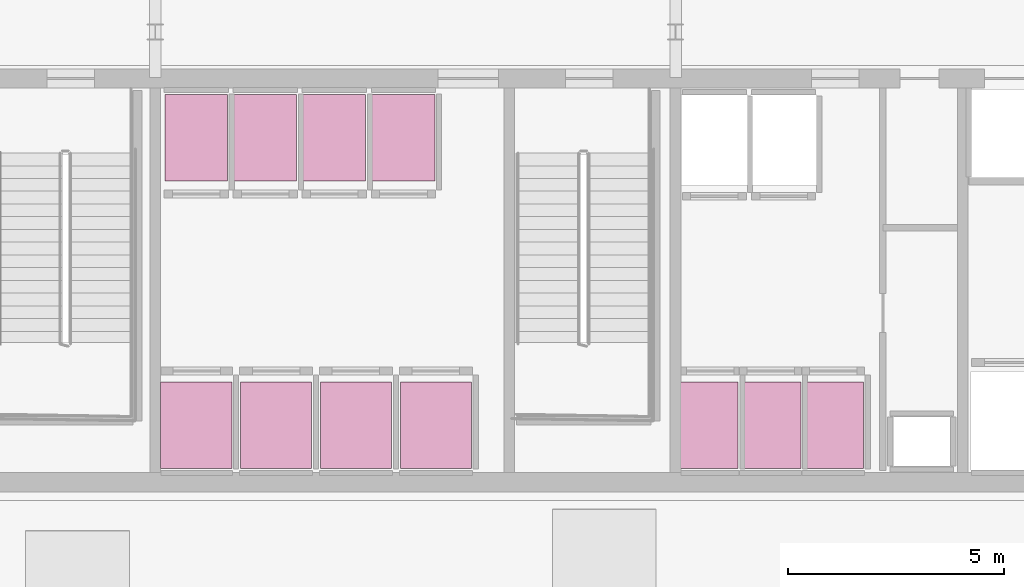
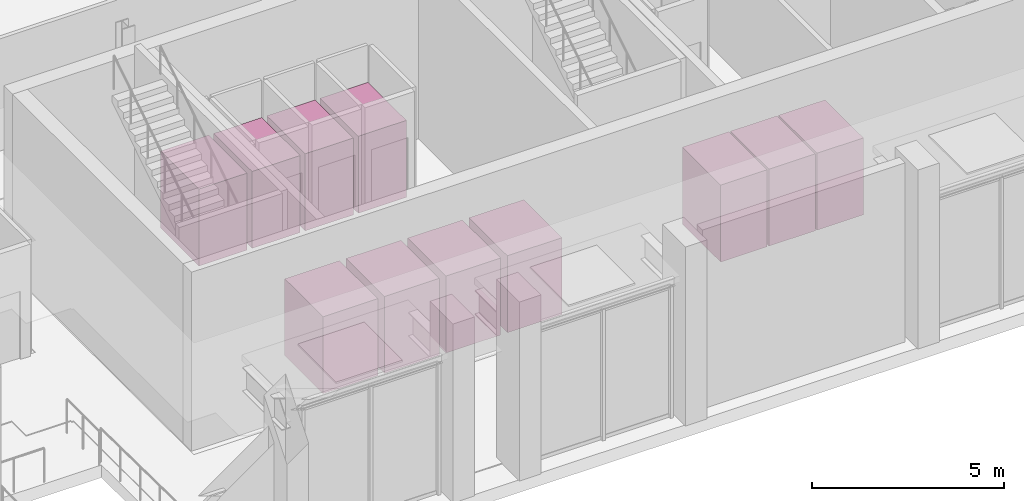
# One storey, part 36 of 36: 11 transport elements.
"""IFC4 building model written with IfcOpenShell, lengths in metres."""

import ifcopenshell
import ifcopenshell.guid

model = None  # the IFC model being written
_history = None  # IfcOwnerHistory: only IFC2X3 demands one
_inside = {}  # id of a spatial element -> (the spatial element, [elements in it])
_under = {}  # id of a project, library or spatial element -> (it, [spatial elements below it])
_declared = {}  # id of a project -> (the project, [libraries it declares])
_typed = {}  # id of a type object -> (the type object, [elements of that type])
_made_of = {}  # id of a material, layer set ... -> (it, [elements and type objects made of it])


def new_model(schema):
    """Start an empty IFC model of exactly this schema.

    Asked for "IFC4X3", IfcOpenShell would pick the latest addendum, in which some entities
    have other attributes; the version numbers below select the first issue.
    IFC2X3 requires an IfcOwnerHistory on every rooted entity: one is made here for all.
    """
    global model, _history
    if schema == "IFC4X3":
        model = ifcopenshell.file(schema_version=(4, 3, 0, 0))
    else:
        model = ifcopenshell.file(schema=schema)
    _inside.clear()
    _under.clear()
    _declared.clear()
    _typed.clear()
    _made_of.clear()
    _history = None
    if model.schema == "IFC2X3":
        org = make("IfcOrganization", Name="unknown")
        user = make(
            "IfcPersonAndOrganization",
            ThePerson=make("IfcPerson", FamilyName="unknown"),
            TheOrganization=org,
        )
        app = make(
            "IfcApplication",
            ApplicationDeveloper=org,
            Version="unknown",
            ApplicationFullName="unknown",
            ApplicationIdentifier="unknown",
        )
        _history = make(
            "IfcOwnerHistory",
            OwningUser=user,
            OwningApplication=app,
            ChangeAction="ADDED",
            CreationDate=0,
        )
    return model


def make(cls, **values):
    """One entity of the class cls with the attributes given. An attribute that is None is left unset."""
    return model.create_entity(
        cls, **{name: value for name, value in values.items() if value is not None}
    )


def rooted(cls, **values):
    """An entity with a GlobalId (a new one), such as an element, a storey or a relation."""
    return make(cls, GlobalId=ifcopenshell.guid.new(), OwnerHistory=_history, **values)


def si_unit(unit_type, name, prefix=None):
    """IfcSIUnit, for example si_unit("LENGTHUNIT", "METRE", prefix="MILLI")."""
    return make("IfcSIUnit", UnitType=unit_type, Prefix=prefix, Name=name)


def assignment(units):
    """IfcUnitAssignment: the units of a project."""
    return None if units is None else make("IfcUnitAssignment", Units=units)


def point(xyz):
    """IfcCartesianPoint."""
    return None if xyz is None else make("IfcCartesianPoint", Coordinates=xyz)


def direction(xyz):
    """IfcDirection."""
    return None if xyz is None else make("IfcDirection", DirectionRatios=xyz)


def frame(location, z_axis=None, x_axis=None):
    """IfcAxis2Placement3D, a coordinate frame: its origin and axes. An axis left out is left unset."""
    return make(
        "IfcAxis2Placement3D",
        Location=point(location),
        Axis=direction(z_axis),
        RefDirection=direction(x_axis),
    )


def frame_2d(location, x_axis=None):
    """IfcAxis2Placement2D, a coordinate frame in the plane: its origin and x axis."""
    return make(
        "IfcAxis2Placement2D", Location=point(location), RefDirection=direction(x_axis)
    )


def origin():
    """The frame at (0, 0, 0) with its axes left unset."""
    return frame((0.0, 0.0, 0.0))


def origin_2d():
    """The frame at (0, 0) in the plane with its x axis left unset."""
    return frame_2d((0.0, 0.0))


def place(relative_to, where):
    """IfcLocalPlacement: puts the frame where relative to a parent placement (None: the world)."""
    return make(
        "IfcLocalPlacement", PlacementRelTo=relative_to, RelativePlacement=where
    )


def context(
    kind, dimensions, precision=None, world=None, true_north=None, identifier=None
):
    """IfcGeometricRepresentationContext, for example the 3D "Model" context."""
    return make(
        "IfcGeometricRepresentationContext",
        ContextIdentifier=identifier,
        ContextType=kind,
        CoordinateSpaceDimension=dimensions,
        Precision=precision,
        WorldCoordinateSystem=world,
        TrueNorth=true_north,
    )


def subcontext(parent, identifier, kind, view, scale=None):
    """IfcGeometricRepresentationSubContext, for example "Body" below "Model"."""
    return make(
        "IfcGeometricRepresentationSubContext",
        ContextIdentifier=identifier,
        ContextType=kind,
        ParentContext=parent,
        TargetScale=scale,
        TargetView=view,
    )


def project(units=None, contexts=None):
    """IfcProject with its units and contexts."""
    return rooted(
        "IfcProject",
        Name="project",
        RepresentationContexts=contexts,
        UnitsInContext=assignment(units),
    )


def spatial(cls, under=None, at=None, **own):
    """A site, building, storey or space (cls), placed at a placement, below another one or the project."""
    s = rooted(cls, ObjectPlacement=at, **own)
    if under is not None:
        _under.setdefault(under.id(), (under, []))[1].append(s)
    return s


def profile(cls, at=None, kind="AREA", **sizes):
    """A parametric profile (cls). Its sizes go by their IFC names, for example OverallWidth=200.0."""
    return make(cls, ProfileType=kind, Position=at, **sizes)


def rectangle(**sizes):
    """IfcRectangleProfileDef."""
    return profile("IfcRectangleProfileDef", **sizes)


def extrude(swept, where, along, depth):
    """IfcExtrudedAreaSolid: the profile swept, set in the frame where, extruded along a direction by depth."""
    return make(
        "IfcExtrudedAreaSolid",
        SweptArea=swept,
        Position=where,
        ExtrudedDirection=direction(along),
        Depth=depth,
    )


def shape(context_of_items, identifier, shape_type, items):
    """IfcShapeRepresentation: the items that make up one representation, for example the "Body"."""
    return make(
        "IfcShapeRepresentation",
        ContextOfItems=context_of_items,
        RepresentationIdentifier=identifier,
        RepresentationType=shape_type,
        Items=items,
    )


def material(Name=None, Category=None):
    """IfcMaterial."""
    return make("IfcMaterial", Name=Name, Category=Category)


def made_of(thing, what):
    """Note that an element or type object is made of a material, layer set ...; save() writes the relation."""
    if what is not None:
        _made_of.setdefault(what.id(), (what, []))[1].append(thing)
    return thing


def type_object(cls, material=None, **own):
    """A type object (cls), such as IfcWallType, which elements share."""
    return made_of(rooted(cls, **own), material)


def element(
    cls,
    number,
    at=None,
    inside=None,
    cuts=None,
    type_object=None,
    material=None,
    context=None,
    identifier="Body",
    shape_type=None,
    held_by="IfcProductDefinitionShape",
    body=None,
    shapes=None,
    **own,
):
    """One element of the class cls, such as IfcWall. Its Tag is "e" and its number.

    at: its placement. inside: the storey or other place that contains it. cuts: it is an
    opening in that element (IfcRelVoidsElement). A single representation is given by context,
    identifier, shape_type and body (its items); several are given by shapes. held_by: the class
    of the entity that holds the representations. save() writes the other relations.
    """
    e = rooted(cls, Tag="e%d" % number, ObjectPlacement=at, **own)
    if body is not None:
        shapes = [shape(context, identifier, shape_type, body)]
    if shapes is not None:
        e.Representation = make(held_by, Representations=shapes)
    if inside is not None:
        _inside.setdefault(inside.id(), (inside, []))[1].append(e)
    if cuts is not None:
        rooted(
            "IfcRelVoidsElement", RelatingBuildingElement=cuts, RelatedOpeningElement=e
        )
    if type_object is not None:
        _typed.setdefault(type_object.id(), (type_object, []))[1].append(e)
    return made_of(e, material)


def aggregate(whole, parts):
    """IfcRelAggregates: a whole, such as a stair, and the parts it consists of."""
    return rooted("IfcRelAggregates", RelatingObject=whole, RelatedObjects=parts)


def save(model, path):
    """Write the relations noted so far, then the file.

    IfcRelAggregates (storeys below a building ...), IfcRelContainedInSpatialStructure (elements
    in a storey), IfcRelDefinesByType, IfcRelAssociatesMaterial and IfcRelDeclares: one each for
    every whole, place, type object, material and project.
    """
    for whole, parts in _under.values():
        aggregate(whole, parts)
    for where, things in _inside.values():
        rooted(
            "IfcRelContainedInSpatialStructure",
            RelatedElements=things,
            RelatingStructure=where,
        )
    for kind, things in _typed.values():
        rooted("IfcRelDefinesByType", RelatedObjects=things, RelatingType=kind)
    for what, things in _made_of.values():
        rooted("IfcRelAssociatesMaterial", RelatedObjects=things, RelatingMaterial=what)
    for by, libraries in _declared.values():
        rooted("IfcRelDeclares", RelatingContext=by, RelatedDefinitions=libraries)
    model.write(path)


model = new_model("IFC4")

# Units and contexts
model_context = context("Model", 3, precision=1e-05, world=origin(), true_north=direction((0.0, 1.0)))
body_context = subcontext(model_context, "Body", "Model", "MODEL_VIEW")
ifc_project = project(units=[si_unit("LENGTHUNIT", "METRE"), si_unit("AREAUNIT", "SQUARE_METRE"), si_unit("VOLUMEUNIT", "CUBIC_METRE"), si_unit("PLANEANGLEUNIT", "RADIAN"), si_unit("MASSUNIT", "GRAM", prefix="KILO")], contexts=[model_context])

# Site, building, storey
site_placement = place(None, origin())
site = spatial("IfcSite", under=ifc_project, at=site_placement, CompositionType="ELEMENT")
building_placement = place(site_placement, origin())
building = spatial("IfcBuilding", under=site, at=building_placement, Name="Ndaravel Arena Tower", CompositionType="ELEMENT")
storey_placement = place(building_placement, origin())
storey = spatial("IfcBuildingStorey", under=building, at=storey_placement, Name="L00", CompositionType="ELEMENT", Elevation=0.0)

# Transport elements
ifc_material = material(Name="Steel S355", Category="steel")
transport_element_type = type_object("IfcTransportElementType", Name="TRAN-ELEV-PASS", PredefinedType="ELEVATOR", material=ifc_material)
for number, where, z_axis, x_axis, name in (
    (1, (31.550048828125, 6.949951171875, 0.0), (0.0, 0.0, 1.0), (1.0, 0.0, 0.0), "Lift PL-L1 Car"),
    (2, (33.39990234375, 6.949951171875, 0.0), (0.0, 0.0, 1.0), (1.0, 0.0, 0.0), "Lift PL-L2 Car"),
    (3, (35.25, 6.949951171875, 0.0), (0.0, 0.0, 1.0), (1.0, 0.0, 0.0), "Lift PL-L3 Car"),
    (4, (37.10009765625, 6.949951171875, 0.0), (0.0, 0.0, 1.0), (1.0, 0.0, 0.0), "Lift PL-L4 Car"),
):
    element("IfcTransportElement", number, at=place(storey_placement, frame(where, z_axis=z_axis, x_axis=x_axis)), inside=storey, type_object=transport_element_type, Name=name, PredefinedType="ELEVATOR", context=body_context, shape_type="SweptSolid", body=[
        extrude(rectangle(XDim=1.64990234375, YDim=2.0, at=origin_2d()), origin(), (0.0, 0.0, 1.0), 2.449951171875),
    ])
for number, where, z_axis, x_axis, name in (
    (5, (31.550048828125, 13.60009765625, 0.0), (0.0, 0.0, 1.0), (1.0, 0.0, 0.0), "Lift PL-M1 Car"),
    (6, (33.14990234375, 13.60009765625, 0.0), (0.0, 0.0, 1.0), (1.0, 0.0, 0.0), "Lift PL-M2 Car"),
    (7, (34.75, 13.60009765625, 0.0), (0.0, 0.0, 1.0), (1.0, 0.0, 0.0), "Lift PL-M3 Car"),
    (8, (36.35009765625, 13.60009765625, 0.0), (0.0, 0.0, 1.0), (1.0, 0.0, 0.0), "Lift PL-M4 Car"),
):
    element("IfcTransportElement", number, at=place(storey_placement, frame(where, z_axis=z_axis, x_axis=x_axis)), inside=storey, type_object=transport_element_type, Name=name, PredefinedType="ELEVATOR", context=body_context, shape_type="SweptSolid", body=[
        extrude(rectangle(XDim=1.449951171875, YDim=2.0, at=origin_2d()), origin(), (0.0, 0.0, 1.0), 2.449951171875),
    ])
for number, where, z_axis, x_axis, name in (
    (9, (43.39990234375, 6.949951171875, 0.0), (0.0, 0.0, 1.0), (1.0, 0.0, 0.0), "Lift PL-H1 Car"),
    (10, (44.85009765625, 6.949951171875, 0.0), (0.0, 0.0, 1.0), (1.0, 0.0, 0.0), "Lift PL-H2 Car"),
    (11, (46.300048828125, 6.949951171875, 0.0), (0.0, 0.0, 1.0), (1.0, 0.0, 0.0), "Lift PL-H3 Car"),
):
    element("IfcTransportElement", number, at=place(storey_placement, frame(where, z_axis=z_axis, x_axis=x_axis)), inside=storey, type_object=transport_element_type, Name=name, PredefinedType="ELEVATOR", context=body_context, shape_type="SweptSolid", body=[
        extrude(rectangle(XDim=1.39990234375, YDim=2.0, at=origin_2d()), origin(), (0.0, 0.0, 1.0), 2.449951171875),
    ])

save(model, "model.ifc")
